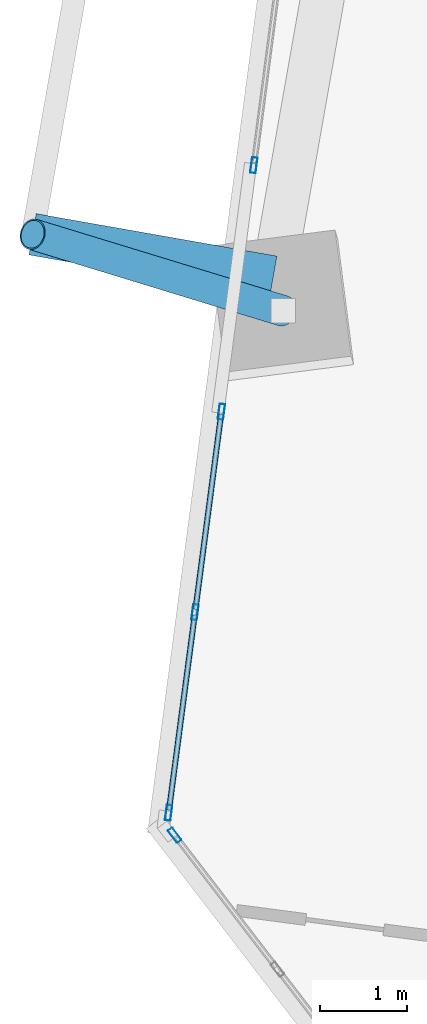
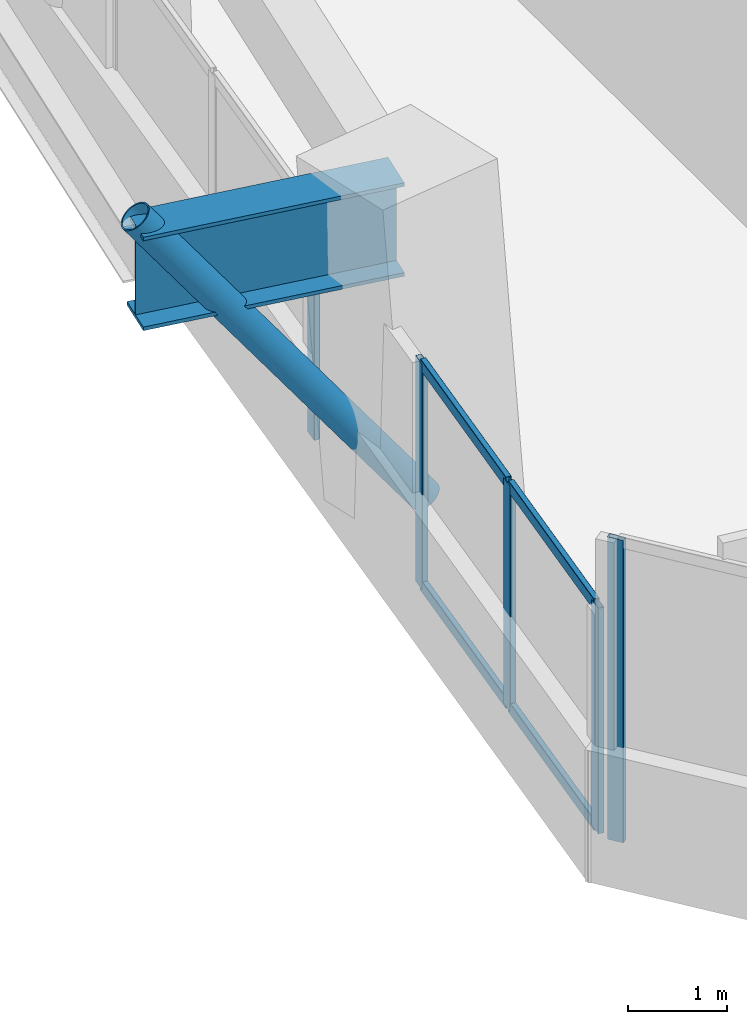
# One storey, part 3 of 24: 10 members, 1 beam, 3 elements without a shape of their own.
"""IFC4 building model written with IfcOpenShell, lengths in metres."""

from ifc_helpers import new_model, si_unit, direction, frame, origin, origin_2d, place, context, subcontext, project, spatial, hollow_rectangle, hollow_circle, i_section, extrude, source, transform, mapped, material, material_profile, profile_set, type_object, element, aggregate, save


model = new_model("IFC4")

# Units and contexts
model_context = context("Model", 3, precision=1e-05, world=origin(), true_north=direction((0.0, 1.0)))
body_context = subcontext(model_context, "Body", "Model", "MODEL_VIEW")
ifc_project = project(units=[si_unit("LENGTHUNIT", "METRE"), si_unit("AREAUNIT", "SQUARE_METRE"), si_unit("VOLUMEUNIT", "CUBIC_METRE"), si_unit("PLANEANGLEUNIT", "RADIAN"), si_unit("MASSUNIT", "GRAM", prefix="KILO")], contexts=[model_context])

# Site, building, storey
site_placement = place(None, origin())
site = spatial("IfcSite", under=ifc_project, at=site_placement, CompositionType="ELEMENT")
building_placement = place(site_placement, origin())
building = spatial("IfcBuilding", under=site, at=building_placement, Name="Torre Montelarca", CompositionType="ELEMENT")
storey_placement = place(building_placement, frame((0.0, 0.0, 70.60009765625)))
storey = spatial("IfcBuildingStorey", under=building, at=storey_placement, Name="L15", CompositionType="ELEMENT", Elevation=70.60009765625)

# Member
ifc_material_1 = material(Name="Steel ASTM A500 Grade C", Category="steel")
ifc_material_profile_1 = material_profile(ifc_material_1, hollow_circle(Radius=0.177734375, WallThickness=0.015869140625, at=origin_2d()), Name="HSS355.6X15.9", Category="steel")
ifc_profile_set_1 = profile_set([ifc_material_profile_1], Name="Steel ASTM A500 Grade C")
member_type_1 = type_object("IfcMemberType", Name="MB-BR-CHS356-EXT", PredefinedType="BRACE", material=ifc_profile_set_1)
shared_shape_1 = source(origin(), body_context, "Body", "SweptSolid", [
    extrude(hollow_circle(Radius=0.177734375, WallThickness=0.015869140625, at=origin_2d()), origin(), (0.0, 0.0, 1.0), 4.9287109375),
])
member_1_placement = place(storey_placement, frame((3.629150390625, 26.656494140625, 0.14990234375), z_axis=(-0.582266202834, 0.177973838093, 0.793278880339), x_axis=(-0.292307410176, -0.956324410415, 0.0)))
element("IfcMember", 1, at=member_1_placement, inside=storey, type_object=member_type_1, Name="L16 Sliding Tray Exterior Diagonal Raker Strut W1", PredefinedType="BRACE", context=body_context, shape_type="MappedRepresentation", body=[
    mapped(shared_shape_1, transform((0.0, 0.0, 0.0), scale=1.0)),
])

# Beam
ifc_material_2 = material(Name="Steel ASTM A572 Grade 50", Category="steel")
ifc_material_profile_2 = material_profile(ifc_material_2, i_section(OverallWidth=0.47998046875, OverallDepth=1.14990234375, WebThickness=0.02197265625, FlangeThickness=0.044921875, at=origin_2d()), Name="PG1150X480X22X45", Category="steel")
ifc_profile_set_2 = profile_set([ifc_material_profile_2], Name="Steel ASTM A572 Grade 50")
beam_type = type_object("IfcBeamType", Name="BM-CG-PG1400-EXT", PredefinedType="USERDEFINED", material=ifc_profile_set_2)
shared_shape_2 = source(origin(), body_context, "Body", "SweptSolid", [
    extrude(i_section(OverallWidth=0.47998046875, OverallDepth=1.14990234375, WebThickness=0.02197265625, FlangeThickness=0.044921875, at=origin_2d()), origin(), (0.0, 0.0, 1.0), 2.800048828125),
])
beam_placement = place(storey_placement, frame((3.516845703125, 27.047607421875, 3.385009765625), z_axis=(-0.984816895441, 0.173596320392, 0.0), x_axis=(-0.173596320392, -0.984816895441, 0.0)))
element("IfcBeam", 2, at=beam_placement, inside=storey, type_object=beam_type, Name="L15 Sliding Tray Cantilever Girder West Y=24.0m (FLR)", ObjectType="CANTILEVER GIRDER", PredefinedType="USERDEFINED", context=body_context, shape_type="MappedRepresentation", body=[
    mapped(shared_shape_2, transform((0.0, 0.0, 0.0), scale=1.0)),
])

# Curtain wall, members
ifc_material_3 = material(Name="Insulated low-E laminated glass", Category="glass")
curtain_wall_type = type_object("IfcCurtainWallType", Name="CW-SYS-Z1", PredefinedType="USERDEFINED", material=ifc_material_3)
curtain_wall_1_placement = place(storey_placement, origin())
curtain_wall_1 = element("IfcCurtainWall", 3, at=curtain_wall_1_placement, inside=storey, type_object=curtain_wall_type, Name="L15 Curtain Wall Run CW-T3-L15-E10-B3", ObjectType="UNITISED GLAZING", PredefinedType="USERDEFINED")
ifc_material_4 = material(Name="Anodised aluminium AA 6063-T6", Category="aluminium")
ifc_material_profile_3 = material_profile(ifc_material_4, hollow_rectangle(XDim=0.06494140625, YDim=0.139892578125, WallThickness=0.00390625, InnerFilletRadius=0.00390625, OuterFilletRadius=0.008056640625, at=origin_2d()), Name="ALU65X140X4", Category="aluminium")
ifc_profile_set_3 = profile_set([ifc_material_profile_3], Name="Anodised aluminium AA 6063-T6")
member_type_2 = type_object("IfcMemberType", Name="CWT-ALU140", PredefinedType="USERDEFINED", material=ifc_profile_set_3)
shared_shape_3 = source(origin(), body_context, "Body", "SweptSolid", [
    extrude(hollow_rectangle(XDim=0.06494140625, YDim=0.139892578125, WallThickness=0.00390625, InnerFilletRadius=0.00390625, OuterFilletRadius=0.008056640625, at=origin_2d()), origin(), (0.0, 0.0, 1.0), 2.251708984375),
])
member_2_placement = place(storey_placement, frame((2.6162109375, 23.171875, 0.032470703125), z_axis=(-0.13054426382, -0.991442482035, 0.0), x_axis=(0.991442482035, -0.13054426382, 0.0)))
member_2 = element("IfcMember", 4, at=member_2_placement, type_object=member_type_2, Name="CW transom 2.1", ObjectType="TRANSOM", PredefinedType="USERDEFINED", context=body_context, shape_type="MappedRepresentation", body=[
    mapped(shared_shape_3, transform((0.0, 0.0, 0.0), scale=1.0)),
])
member_3_placement = place(storey_placement, frame((2.6162109375, 23.171875, 2.742431640625), z_axis=(-0.13054426382, -0.991442482035, 0.0), x_axis=(0.991442482035, -0.13054426382, 0.0)))
member_3 = element("IfcMember", 5, at=member_3_placement, type_object=member_type_2, Name="CW transom 2.2", ObjectType="TRANSOM", PredefinedType="USERDEFINED", context=body_context, shape_type="MappedRepresentation", body=[
    mapped(shared_shape_3, transform((0.0, 0.0, 0.0), scale=1.0)),
])
shared_shape_4 = source(origin(), body_context, "Body", "SweptSolid", [
    extrude(hollow_rectangle(XDim=0.06494140625, YDim=0.139892578125, WallThickness=0.00390625, InnerFilletRadius=0.00390625, OuterFilletRadius=0.008056640625, at=origin_2d()), origin(), (0.0, 0.0, 1.0), 2.251953125),
])
member_4_placement = place(storey_placement, frame((2.918701171875, 25.468994140625, 0.032470703125), z_axis=(-0.130530232118, -0.991444329503, 0.0), x_axis=(0.991444329503, -0.130530232118, 0.0)))
member_4 = element("IfcMember", 6, at=member_4_placement, type_object=member_type_2, Name="CW transom 1.1", ObjectType="TRANSOM", PredefinedType="USERDEFINED", context=body_context, shape_type="MappedRepresentation", body=[
    mapped(shared_shape_4, transform((0.0, 0.0, 0.0), scale=1.0)),
])
member_5_placement = place(storey_placement, frame((2.918701171875, 25.468994140625, 2.742431640625), z_axis=(-0.130530232118, -0.991444329503, 0.0), x_axis=(0.991444329503, -0.130530232118, 0.0)))
member_5 = element("IfcMember", 7, at=member_5_placement, type_object=member_type_2, Name="CW transom 1.2", ObjectType="TRANSOM", PredefinedType="USERDEFINED", context=body_context, shape_type="MappedRepresentation", body=[
    mapped(shared_shape_4, transform((0.0, 0.0, 0.0), scale=1.0)),
])

# Curtain wall, member
curtain_wall_2_placement = place(storey_placement, origin())
curtain_wall_2 = element("IfcCurtainWall", 8, at=curtain_wall_2_placement, inside=storey, type_object=curtain_wall_type, Name="L15 Curtain Wall Run CW-T3-L15-E11-B1", ObjectType="UNITISED GLAZING", PredefinedType="USERDEFINED")
ifc_material_profile_4 = material_profile(ifc_material_4, hollow_rectangle(XDim=0.06494140625, YDim=0.179931640625, WallThickness=0.00390625, InnerFilletRadius=0.00390625, OuterFilletRadius=0.008056640625, at=origin_2d()), Name="ALU65X180X4", Category="aluminium")
ifc_profile_set_4 = profile_set([ifc_material_profile_4], Name="Anodised aluminium AA 6063-T6")
member_type_3 = type_object("IfcMemberType", Name="CWM-ALU180", PredefinedType="MULLION", material=ifc_profile_set_4)
shared_shape_5 = source(origin(), body_context, "Body", "SweptSolid", [
    extrude(hollow_rectangle(XDim=0.06494140625, YDim=0.179931640625, WallThickness=0.00390625, InnerFilletRadius=0.00390625, OuterFilletRadius=0.008056640625, at=origin_2d()), origin(), (0.0, 0.0, 1.0), 3.719970703125),
])
member_6_placement = place(storey_placement, frame((2.386962890625, 20.6494140625, 0.0), z_axis=(0.0, 0.0, 1.0), x_axis=(0.793352405672, 0.608762647027, 0.0)))
member_6 = element("IfcMember", 9, at=member_6_placement, type_object=member_type_3, Name="CW mullion 1", PredefinedType="MULLION", context=body_context, shape_type="MappedRepresentation", body=[
    mapped(shared_shape_5, transform((0.0, 0.0, 0.0), scale=1.0)),
])
aggregate(curtain_wall_2, [member_6])

curtain_wall_3_placement = place(storey_placement, origin())
curtain_wall_3 = element("IfcCurtainWall", 10, at=curtain_wall_3_placement, inside=storey, type_object=curtain_wall_type, Name="L15 Curtain Wall Run CW-T3-L15-E10-B2", ObjectType="UNITISED GLAZING", PredefinedType="USERDEFINED")
shared_shape_6 = source(origin(), body_context, "Body", "SweptSolid", [
    extrude(hollow_rectangle(XDim=0.06494140625, YDim=0.179931640625, WallThickness=0.00390625, InnerFilletRadius=0.00390625, OuterFilletRadius=0.008056640625, at=origin_2d()), origin(), (0.0, 0.0, 1.0), 2.77490234375),
])
member_7_placement = place(storey_placement, frame((3.29443359375, 28.324951171875, 0.0), z_axis=(0.0, 0.0, 1.0), x_axis=(0.99144464168, -0.130527860946, 0.0)))
member_7 = element("IfcMember", 11, at=member_7_placement, type_object=member_type_3, Name="CW mullion 3", PredefinedType="MULLION", context=body_context, shape_type="MappedRepresentation", body=[
    mapped(shared_shape_6, transform((0.0, 0.0, 0.0), scale=1.0)),
])
aggregate(curtain_wall_3, [member_7])

# Member
member_8_placement = place(storey_placement, frame((2.9228515625, 25.501220703125, 0.0), z_axis=(0.0, 0.0, 1.0), x_axis=(0.991444948404, -0.130525531156, 0.0)))
member_8 = element("IfcMember", 12, at=member_8_placement, type_object=member_type_3, Name="CW mullion 1", PredefinedType="MULLION", context=body_context, shape_type="MappedRepresentation", body=[
    mapped(shared_shape_6, transform((0.0, 0.0, 0.0), scale=1.0)),
])

member_9_placement = place(storey_placement, frame((2.620361328125, 23.2041015625, 0.0), z_axis=(0.0, 0.0, 1.0), x_axis=(0.991444948404, -0.130525531156, 0.0)))
member_9 = element("IfcMember", 13, at=member_9_placement, type_object=member_type_3, Name="CW mullion 2", PredefinedType="MULLION", context=body_context, shape_type="MappedRepresentation", body=[
    mapped(shared_shape_6, transform((0.0, 0.0, 0.0), scale=1.0)),
])

member_10_placement = place(storey_placement, frame((2.318115234375, 20.9072265625, 0.0), z_axis=(0.0, 0.0, 1.0), x_axis=(0.991444948404, -0.130525531156, 0.0)))
member_10 = element("IfcMember", 14, at=member_10_placement, type_object=member_type_3, Name="CW mullion 3", PredefinedType="MULLION", context=body_context, shape_type="MappedRepresentation", body=[
    mapped(shared_shape_6, transform((0.0, 0.0, 0.0), scale=1.0)),
])

aggregate(curtain_wall_1, [member_8, member_9, member_10, member_4, member_5, member_2, member_3])

save(model, "model.ifc")
